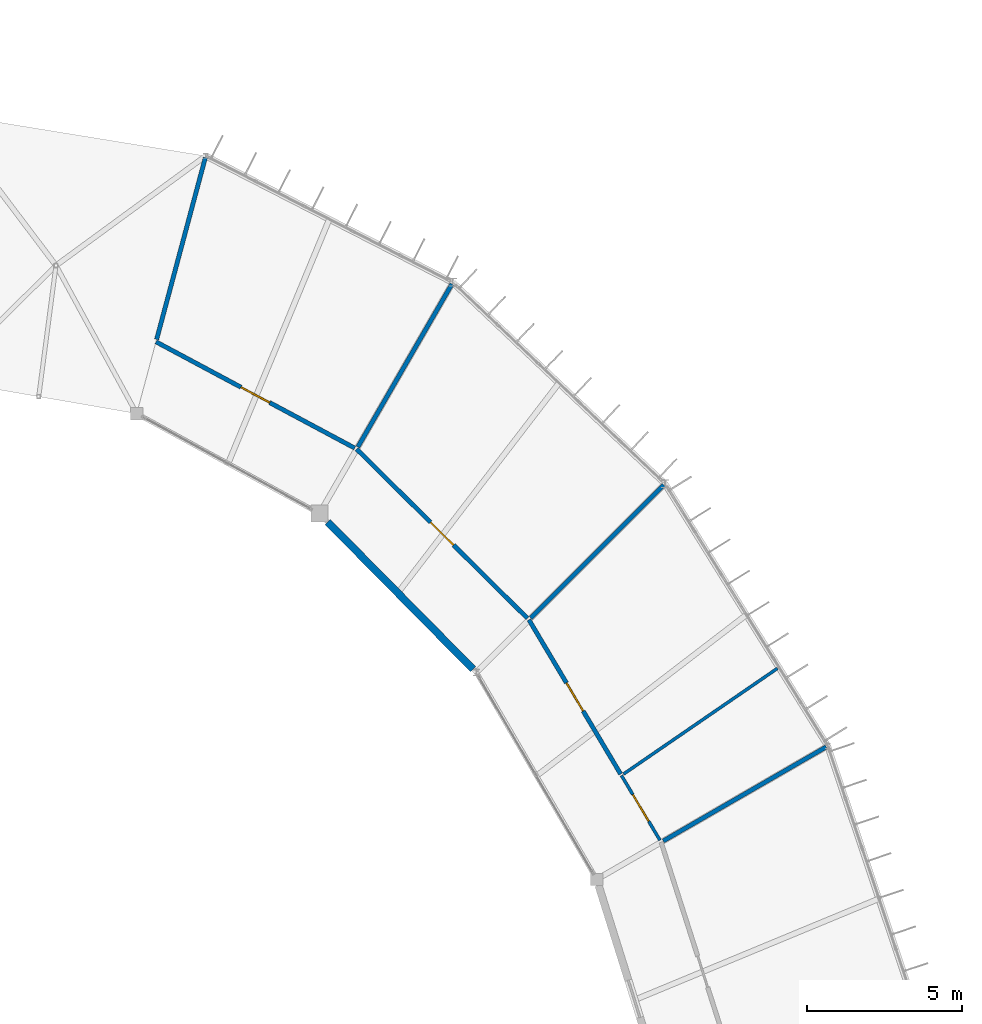
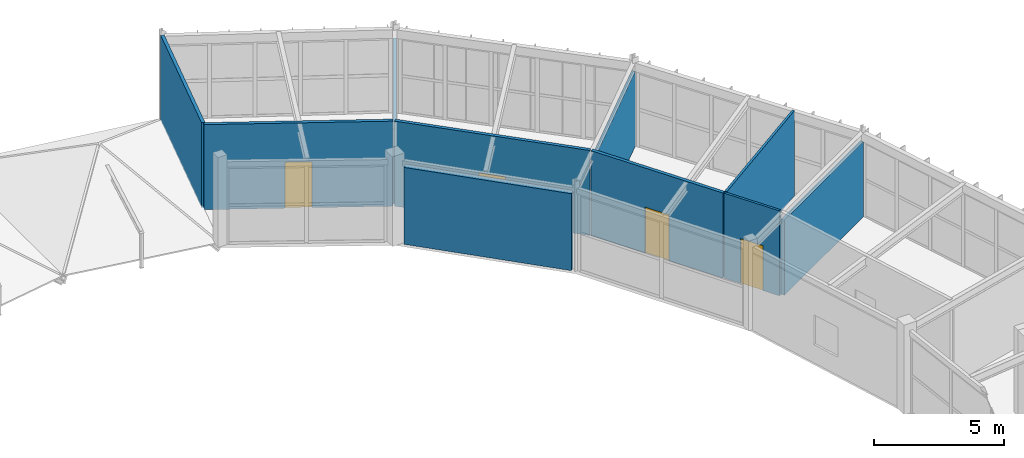
# One storey, part 59 of 66: 10 walls, 4 doors, 4 openings.
"""IFC4 building model written with IfcOpenShell, lengths in metres."""

from ifc_helpers import new_model, si_unit, direction, frame, frame_2d, origin, place, context, subcontext, project, spatial, rectangle, extrude, material, layer, layer_set, type_object, element, fill, save


model = new_model("IFC4")

# Units and contexts
model_context = context("Model", 3, precision=1e-05, world=origin(), true_north=direction((0.0, 1.0)))
body_context = subcontext(model_context, "Body", "Model", "MODEL_VIEW")
ifc_project = project(units=[si_unit("LENGTHUNIT", "METRE"), si_unit("AREAUNIT", "SQUARE_METRE"), si_unit("VOLUMEUNIT", "CUBIC_METRE"), si_unit("PLANEANGLEUNIT", "RADIAN"), si_unit("MASSUNIT", "GRAM", prefix="KILO")], contexts=[model_context])

# Site, building, storey
site_placement = place(None, origin())
site = spatial("IfcSite", under=ifc_project, at=site_placement, CompositionType="ELEMENT")
building_placement = place(site_placement, origin())
building = spatial("IfcBuilding", under=site, at=building_placement, Name="Karori Crest Natural Sciences Institute", CompositionType="ELEMENT")
storey_placement = place(building_placement, frame((0.0, 0.0, 30.10009765625)))
storey = spatial("IfcBuildingStorey", under=building, at=storey_placement, Name="L07", CompositionType="ELEMENT", Elevation=30.10009765625)

# Wall
ifc_material_1 = material(Name="Laboratory acoustic drywall partition")
ifc_layer_1 = layer(ifc_material_1, 0.139892578125, Name="Laboratory acoustic drywall partition")
ifc_layer_set_1 = layer_set([ifc_layer_1], Name="Laboratory acoustic drywall partition")
wall_type_1 = type_object("IfcWallType", Name="IWT-07", PredefinedType="PARTITIONING", material=ifc_layer_set_1)
wall_1_placement = place(storey_placement, frame((89.6787109375, 67.239990234375, 0.0), z_axis=(0.0, 0.0, 1.0), x_axis=(0.866020543329, 0.500008418462, 0.0)))
element("IfcWall", 1, at=wall_1_placement, inside=storey, type_object=wall_type_1, Name="Partition wall IW-1445", PredefinedType="PARTITIONING", context=body_context, shape_type="SweptSolid", body=[
    extrude(rectangle(XDim=6.06005859375, YDim=0.139892578125, at=frame_2d((3.030029296875, 0.0))), origin(), (0.0, 0.0, 1.0), 3.52197265625),
])

# Wall, opening, door
wall_2_placement = place(storey_placement, frame((88.30517578125, 69.39453125, 0.0), z_axis=(0.0, 0.0, 1.0), x_axis=(-0.510896676259, 0.859642126811, 0.0)))
wall_2 = element("IfcWall", 2, at=wall_2_placement, inside=storey, type_object=wall_type_1, Name="Partition wall IW-1448", PredefinedType="PARTITIONING", context=body_context, shape_type="SweptSolid", body=[
    extrude(rectangle(XDim=5.783203125, YDim=0.139892578125, at=frame_2d((2.8916015625, 0.0))), origin(), (0.0, 0.0, 1.0), 3.97998046875),
])
opening_1_placement = place(wall_2_placement, frame((2.366455078125, 0.0, 0.0)))
opening_1 = element("IfcOpeningElement", 3, at=opening_1_placement, cuts=wall_2, Name="Opening ID-0465", PredefinedType="OPENING", context=body_context, shape_type="SweptSolid", body=[
    extrude(rectangle(XDim=1.050048828125, YDim=2.14990234375, at=frame_2d((0.52490234375, 1.074951171875))), frame((0.0, 0.080078125, 0.0), z_axis=(0.0, -1.0, 0.0), x_axis=(1.0, 0.0, 0.0)), (0.0, 0.0, 1.0), 0.159912109375),
])
ifc_material_2 = material(Name="Stainless steel 316 and fire-rated timber", Category="steel")
door_type_1 = type_object("IfcDoorType", Name="IDT-03", OperationType="NOTDEFINED", PredefinedType="DOOR", material=ifc_material_2)
door_1_placement = place(opening_1_placement, origin())
door_1 = element("IfcDoor", 4, at=door_1_placement, inside=storey, type_object=door_type_1, Name="Janitor and Consumables Store door ID-0465", OperationType="SINGLE_SWING_RIGHT", OverallHeight=2.14990234375, OverallWidth=1.050048828125, PredefinedType="DOOR", context=body_context, shape_type="SweptSolid", body=[
    extrude(rectangle(XDim=1.050048828125, YDim=2.14990234375, at=frame_2d((0.52490234375, 1.074951171875))), frame((0.0, 0.02490234375, 0.0), z_axis=(0.0, -1.0, 0.0), x_axis=(1.0, 0.0, 0.0)), (0.0, 0.0, 1.0), 0.050048828125),
])
fill(opening_1, door_1)

# Wall
wall_3_placement = place(storey_placement, frame((85.406982421875, 74.422607421875, 0.0), z_axis=(0.0, 0.0, 1.0), x_axis=(0.70712692467, 0.707086637129, 0.0)))
element("IfcWall", 5, at=wall_3_placement, inside=storey, type_object=wall_type_1, Name="Partition wall IW-1449", PredefinedType="PARTITIONING", context=body_context, shape_type="SweptSolid", body=[
    extrude(rectangle(XDim=6.06005859375, YDim=0.139892578125, at=frame_2d((3.030029296875, 0.0))), origin(), (0.0, 0.0, 1.0), 3.52197265625),
])

# Wall, opening, door
wall_4_placement = place(storey_placement, frame((85.29931640625, 74.41650390625, 0.0), z_axis=(0.0, 0.0, 1.0), x_axis=(-0.710410596589, 0.703787456732, 0.0)))
wall_4 = element("IfcWall", 6, at=wall_4_placement, inside=storey, type_object=wall_type_1, Name="Partition wall IW-1450", PredefinedType="PARTITIONING", context=body_context, shape_type="SweptSolid", body=[
    extrude(rectangle(XDim=7.740966796875, YDim=0.139892578125, at=frame_2d((3.87060546875, 0.0))), origin(), (0.0, 0.0, 1.0), 3.97998046875),
])
opening_2_placement = place(wall_4_placement, frame((3.345458984375, 0.0, 0.0)))
opening_2 = element("IfcOpeningElement", 7, at=opening_2_placement, cuts=wall_4, Name="Opening ID-0466", PredefinedType="OPENING", context=body_context, shape_type="SweptSolid", body=[
    extrude(rectangle(XDim=1.050048828125, YDim=2.14990234375, at=frame_2d((0.52490234375, 1.074951171875))), frame((0.0, 0.080078125, 0.0), z_axis=(0.0, -1.0, 0.0), x_axis=(1.0, 0.0, 0.0)), (0.0, 0.0, 1.0), 0.159912109375),
])
door_2_placement = place(opening_2_placement, origin())
door_2 = element("IfcDoor", 8, at=door_2_placement, inside=storey, type_object=door_type_1, Name="Molecular Ecology Wet Laboratory door ID-0466", OperationType="SINGLE_SWING_LEFT", OverallHeight=2.14990234375, OverallWidth=1.050048828125, PredefinedType="DOOR", context=body_context, shape_type="SweptSolid", body=[
    extrude(rectangle(XDim=1.050048828125, YDim=2.14990234375, at=frame_2d((0.52490234375, 1.074951171875))), frame((0.0, 0.02490234375, 0.0), z_axis=(0.0, -1.0, 0.0), x_axis=(1.0, 0.0, 0.0)), (0.0, 0.0, 1.0), 0.050048828125),
])
fill(opening_2, door_2)

# Wall
wall_5_placement = place(storey_placement, frame((79.840087890625, 79.933837890625, 0.0), z_axis=(0.0, 0.0, 1.0), x_axis=(0.500008418462, 0.866020543329, 0.0)))
element("IfcWall", 9, at=wall_5_placement, inside=storey, type_object=wall_type_1, Name="Partition wall IW-1451", PredefinedType="PARTITIONING", context=body_context, shape_type="SweptSolid", body=[
    extrude(rectangle(XDim=6.06005859375, YDim=0.139892578125, at=frame_2d((3.030029296875, 0.0))), origin(), (0.0, 0.0, 1.0), 3.52197265625),
])

# Wall, opening, door
wall_6_placement = place(storey_placement, frame((79.736572265625, 79.8984375, 0.0), z_axis=(0.0, 0.0, 1.0), x_axis=(-0.881826283139, 0.471574391125, 0.0)))
wall_6 = element("IfcWall", 10, at=wall_6_placement, inside=storey, type_object=wall_type_1, Name="Partition wall IW-1452", PredefinedType="PARTITIONING", context=body_context, shape_type="SweptSolid", body=[
    extrude(rectangle(XDim=7.2578125, YDim=0.139892578125, at=frame_2d((3.62890625, 0.0))), origin(), (0.0, 0.0, 1.0), 3.97998046875),
])
opening_3_placement = place(wall_6_placement, frame((3.10400390625, 0.0, 0.0)))
opening_3 = element("IfcOpeningElement", 11, at=opening_3_placement, cuts=wall_6, Name="Opening ID-0467", PredefinedType="OPENING", context=body_context, shape_type="SweptSolid", body=[
    extrude(rectangle(XDim=1.050048828125, YDim=2.14990234375, at=frame_2d((0.52490234375, 1.074951171875))), frame((0.0, 0.080078125, 0.0), z_axis=(0.0, -1.0, 0.0), x_axis=(1.0, 0.0, 0.0)), (0.0, 0.0, 1.0), 0.159912109375),
])
door_3_placement = place(opening_3_placement, origin())
door_3 = element("IfcDoor", 12, at=door_3_placement, inside=storey, type_object=door_type_1, Name="Wet Biology Laboratory door ID-0467", OperationType="SINGLE_SWING_RIGHT", OverallHeight=2.14990234375, OverallWidth=1.050048828125, PredefinedType="DOOR", context=body_context, shape_type="SweptSolid", body=[
    extrude(rectangle(XDim=1.050048828125, YDim=2.14990234375, at=frame_2d((0.52490234375, 1.074951171875))), frame((0.0, 0.02490234375, 0.0), z_axis=(0.0, -1.0, 0.0), x_axis=(1.0, 0.0, 0.0)), (0.0, 0.0, 1.0), 0.050048828125),
])
fill(opening_3, door_3)

# Wall
wall_7_placement = place(storey_placement, frame((73.357177734375, 83.398193359375, 0.0), z_axis=(0.0, 0.0, 1.0), x_axis=(0.258805895167, 0.965929349708, 0.0)))
element("IfcWall", 13, at=wall_7_placement, inside=storey, type_object=wall_type_1, Name="Partition wall IW-1453", PredefinedType="PARTITIONING", context=body_context, shape_type="SweptSolid", body=[
    extrude(rectangle(XDim=6.06005859375, YDim=0.139892578125, at=frame_2d((3.030029296875, 0.0))), origin(), (0.0, 0.0, 1.0), 3.97998046875),
])

# Wall, opening, door
ifc_material_3 = material(Name="Washroom moisture-resistant partition")
ifc_layer_2 = layer(ifc_material_3, 0.10009765625, Name="Washroom moisture-resistant partition")
ifc_layer_set_2 = layer_set([ifc_layer_2], Name="Washroom moisture-resistant partition")
wall_type_2 = type_object("IfcWallType", Name="IWT-09", PredefinedType="PARTITIONING", material=ifc_layer_set_2)
wall_8_placement = place(storey_placement, frame((89.57275390625, 67.261962890625, 0.0), z_axis=(0.0, 0.0, 1.0), x_axis=(-0.510928867953, 0.859622994046, 0.0)))
wall_8 = element("IfcWall", 14, at=wall_8_placement, inside=storey, type_object=wall_type_2, Name="Partition wall IW-1446", PredefinedType="PARTITIONING", context=body_context, shape_type="SweptSolid", body=[
    extrude(rectangle(XDim=2.428955078125, YDim=0.10009765625, at=frame_2d((1.21435546875, 0.0))), origin(), (0.0, 0.0, 1.0), 3.97998046875),
])
opening_4_placement = place(wall_8_placement, frame((0.71435546875, 0.0, 0.0)))
opening_4 = element("IfcOpeningElement", 15, at=opening_4_placement, cuts=wall_8, Name="Opening ID-0464", PredefinedType="OPENING", context=body_context, shape_type="SweptSolid", body=[
    extrude(rectangle(XDim=1.0, YDim=2.10009765625, at=frame_2d((0.5, 1.050048828125))), frame((0.0, 0.06005859375, 0.0), z_axis=(0.0, -1.0, 0.0), x_axis=(1.0, 0.0, 0.0)), (0.0, 0.0, 1.0), 0.1201171875),
])
ifc_material_4 = material(Name="Anodised aluminium and acoustic timber", Category="wood")
door_type_2 = type_object("IfcDoorType", Name="IDT-09", OperationType="NOTDEFINED", PredefinedType="DOOR", material=ifc_material_4)
door_4_placement = place(opening_4_placement, origin())
door_4 = element("IfcDoor", 16, at=door_4_placement, inside=storey, type_object=door_type_2, Name="Accessible WC door ID-0464", OperationType="SINGLE_SWING_LEFT", OverallHeight=2.10009765625, OverallWidth=1.0, PredefinedType="DOOR", context=body_context, shape_type="SweptSolid", body=[
    extrude(rectangle(XDim=1.0, YDim=2.10009765625, at=frame_2d((0.5, 1.050048828125))), frame((0.0, 0.02490234375, 0.0), z_axis=(0.0, -1.0, 0.0), x_axis=(1.0, 0.0, 0.0)), (0.0, 0.0, 1.0), 0.050048828125),
])
fill(opening_4, door_4)

# Walls
wall_9_placement = place(storey_placement, frame((88.397705078125, 69.39501953125, 0.0), z_axis=(0.0, 0.0, 1.0), x_axis=(0.824271584206, 0.566194626847, 0.0)))
element("IfcWall", 17, at=wall_9_placement, inside=storey, type_object=wall_type_2, Name="Partition wall IW-1447", PredefinedType="PARTITIONING", context=body_context, shape_type="SweptSolid", body=[
    extrude(rectangle(XDim=6.015625, YDim=0.10009765625, at=frame_2d((3.0078125, 0.0))), origin(), (0.0, 0.0, 1.0), 3.97998046875),
])
ifc_material_5 = material(Name="Precast concrete 40 MPa", Category="concrete")
ifc_layer_3 = layer(ifc_material_5, 0.239990234375, Name="Precast concrete 40 MPa")
ifc_layer_set_3 = layer_set([ifc_layer_3], Name="Precast concrete 40 MPa")
wall_type_3 = type_object("IfcWallType", Name="WT-04", PredefinedType="SOLIDWALL", material=ifc_layer_set_3)
wall_10_placement = place(storey_placement, frame((83.55224609375, 72.771240234375, 0.0), z_axis=(0.0, 0.0, 1.0), x_axis=(-0.702659584396, 0.711526182551, 0.0)))
element("IfcWall", 18, at=wall_10_placement, inside=storey, type_object=wall_type_3, Name="Exterior wall EW-0112", PredefinedType="SOLIDWALL", context=body_context, shape_type="SweptSolid", body=[
    extrude(rectangle(XDim=6.663330078125, YDim=0.239990234375, at=frame_2d((3.33154296875, 0.0))), origin(), (0.0, 0.0, 1.0), 3.599853515625),
])

save(model, "model.ifc")
